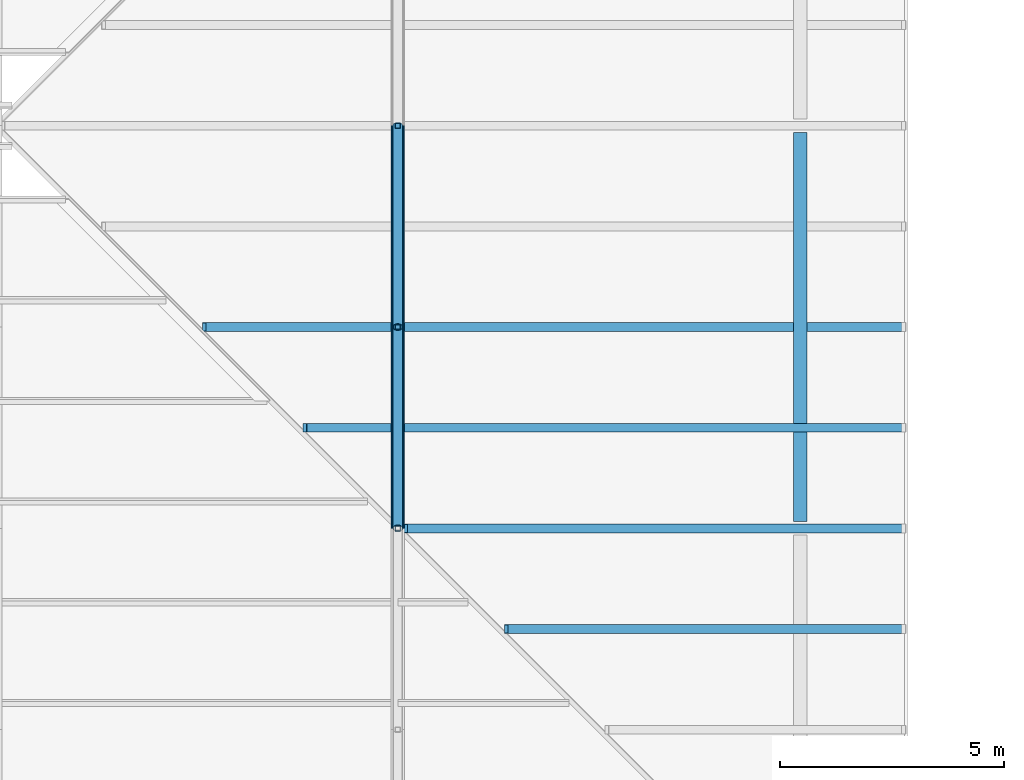
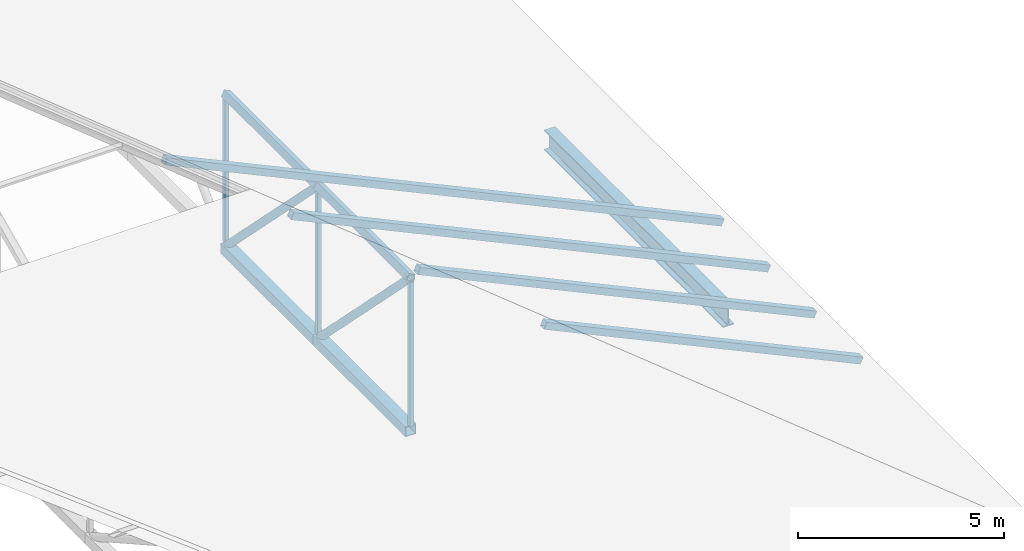
# One storey, part 68 of 154: 13 members, 1 beam.
"""IFC4 building model written with IfcOpenShell, lengths in metres."""

import ifcopenshell
import ifcopenshell.guid

model = None  # the IFC model being written
_history = None  # IfcOwnerHistory: only IFC2X3 demands one
_inside = {}  # id of a spatial element -> (the spatial element, [elements in it])
_under = {}  # id of a project, library or spatial element -> (it, [spatial elements below it])
_declared = {}  # id of a project -> (the project, [libraries it declares])
_typed = {}  # id of a type object -> (the type object, [elements of that type])
_made_of = {}  # id of a material, layer set ... -> (it, [elements and type objects made of it])


def new_model(schema):
    """Start an empty IFC model of exactly this schema.

    Asked for "IFC4X3", IfcOpenShell would pick the latest addendum, in which some entities
    have other attributes; the version numbers below select the first issue.
    IFC2X3 requires an IfcOwnerHistory on every rooted entity: one is made here for all.
    """
    global model, _history
    if schema == "IFC4X3":
        model = ifcopenshell.file(schema_version=(4, 3, 0, 0))
    else:
        model = ifcopenshell.file(schema=schema)
    _inside.clear()
    _under.clear()
    _declared.clear()
    _typed.clear()
    _made_of.clear()
    _history = None
    if model.schema == "IFC2X3":
        org = make("IfcOrganization", Name="unknown")
        user = make(
            "IfcPersonAndOrganization",
            ThePerson=make("IfcPerson", FamilyName="unknown"),
            TheOrganization=org,
        )
        app = make(
            "IfcApplication",
            ApplicationDeveloper=org,
            Version="unknown",
            ApplicationFullName="unknown",
            ApplicationIdentifier="unknown",
        )
        _history = make(
            "IfcOwnerHistory",
            OwningUser=user,
            OwningApplication=app,
            ChangeAction="ADDED",
            CreationDate=0,
        )
    return model


def make(cls, **values):
    """One entity of the class cls with the attributes given. An attribute that is None is left unset."""
    return model.create_entity(
        cls, **{name: value for name, value in values.items() if value is not None}
    )


def rooted(cls, **values):
    """An entity with a GlobalId (a new one), such as an element, a storey or a relation."""
    return make(cls, GlobalId=ifcopenshell.guid.new(), OwnerHistory=_history, **values)


def si_unit(unit_type, name, prefix=None):
    """IfcSIUnit, for example si_unit("LENGTHUNIT", "METRE", prefix="MILLI")."""
    return make("IfcSIUnit", UnitType=unit_type, Prefix=prefix, Name=name)


def assignment(units):
    """IfcUnitAssignment: the units of a project."""
    return None if units is None else make("IfcUnitAssignment", Units=units)


def point(xyz):
    """IfcCartesianPoint."""
    return None if xyz is None else make("IfcCartesianPoint", Coordinates=xyz)


def direction(xyz):
    """IfcDirection."""
    return None if xyz is None else make("IfcDirection", DirectionRatios=xyz)


def frame(location, z_axis=None, x_axis=None):
    """IfcAxis2Placement3D, a coordinate frame: its origin and axes. An axis left out is left unset."""
    return make(
        "IfcAxis2Placement3D",
        Location=point(location),
        Axis=direction(z_axis),
        RefDirection=direction(x_axis),
    )


def frame_2d(location, x_axis=None):
    """IfcAxis2Placement2D, a coordinate frame in the plane: its origin and x axis."""
    return make(
        "IfcAxis2Placement2D", Location=point(location), RefDirection=direction(x_axis)
    )


def origin():
    """The frame at (0, 0, 0) with its axes left unset."""
    return frame((0.0, 0.0, 0.0))


def origin_2d():
    """The frame at (0, 0) in the plane with its x axis left unset."""
    return frame_2d((0.0, 0.0))


def place(relative_to, where):
    """IfcLocalPlacement: puts the frame where relative to a parent placement (None: the world)."""
    return make(
        "IfcLocalPlacement", PlacementRelTo=relative_to, RelativePlacement=where
    )


def context(
    kind, dimensions, precision=None, world=None, true_north=None, identifier=None
):
    """IfcGeometricRepresentationContext, for example the 3D "Model" context."""
    return make(
        "IfcGeometricRepresentationContext",
        ContextIdentifier=identifier,
        ContextType=kind,
        CoordinateSpaceDimension=dimensions,
        Precision=precision,
        WorldCoordinateSystem=world,
        TrueNorth=true_north,
    )


def subcontext(parent, identifier, kind, view, scale=None):
    """IfcGeometricRepresentationSubContext, for example "Body" below "Model"."""
    return make(
        "IfcGeometricRepresentationSubContext",
        ContextIdentifier=identifier,
        ContextType=kind,
        ParentContext=parent,
        TargetScale=scale,
        TargetView=view,
    )


def project(units=None, contexts=None):
    """IfcProject with its units and contexts."""
    return rooted(
        "IfcProject",
        Name="project",
        RepresentationContexts=contexts,
        UnitsInContext=assignment(units),
    )


def spatial(cls, under=None, at=None, **own):
    """A site, building, storey or space (cls), placed at a placement, below another one or the project."""
    s = rooted(cls, ObjectPlacement=at, **own)
    if under is not None:
        _under.setdefault(under.id(), (under, []))[1].append(s)
    return s


def profile(cls, at=None, kind="AREA", **sizes):
    """A parametric profile (cls). Its sizes go by their IFC names, for example OverallWidth=200.0."""
    return make(cls, ProfileType=kind, Position=at, **sizes)


def hollow_rectangle(**sizes):
    """IfcRectangleHollowProfileDef."""
    return profile("IfcRectangleHollowProfileDef", **sizes)


def hollow_circle(**sizes):
    """IfcCircleHollowProfileDef."""
    return profile("IfcCircleHollowProfileDef", **sizes)


def i_section(**sizes):
    """IfcIShapeProfileDef."""
    return profile("IfcIShapeProfileDef", **sizes)


def extrude(swept, where, along, depth):
    """IfcExtrudedAreaSolid: the profile swept, set in the frame where, extruded along a direction by depth."""
    return make(
        "IfcExtrudedAreaSolid",
        SweptArea=swept,
        Position=where,
        ExtrudedDirection=direction(along),
        Depth=depth,
    )


def shape(context_of_items, identifier, shape_type, items):
    """IfcShapeRepresentation: the items that make up one representation, for example the "Body"."""
    return make(
        "IfcShapeRepresentation",
        ContextOfItems=context_of_items,
        RepresentationIdentifier=identifier,
        RepresentationType=shape_type,
        Items=items,
    )


def material(Name=None, Category=None):
    """IfcMaterial."""
    return make("IfcMaterial", Name=Name, Category=Category)


def material_profile(
    of_material, cross_section, Name=None, Category=None, Priority=None
):
    """IfcMaterialProfile: a cross section and its material."""
    return make(
        "IfcMaterialProfile",
        Name=Name,
        Material=of_material,
        Profile=cross_section,
        Priority=Priority,
        Category=Category,
    )


def profile_set(profiles, Name=None, composite=None):
    """IfcMaterialProfileSet."""
    return make(
        "IfcMaterialProfileSet",
        Name=Name,
        MaterialProfiles=profiles,
        CompositeProfile=composite,
    )


def made_of(thing, what):
    """Note that an element or type object is made of a material, layer set ...; save() writes the relation."""
    if what is not None:
        _made_of.setdefault(what.id(), (what, []))[1].append(thing)
    return thing


def type_object(cls, material=None, **own):
    """A type object (cls), such as IfcWallType, which elements share."""
    return made_of(rooted(cls, **own), material)


def element(
    cls,
    number,
    at=None,
    inside=None,
    cuts=None,
    type_object=None,
    material=None,
    context=None,
    identifier="Body",
    shape_type=None,
    held_by="IfcProductDefinitionShape",
    body=None,
    shapes=None,
    **own,
):
    """One element of the class cls, such as IfcWall. Its Tag is "e" and its number.

    at: its placement. inside: the storey or other place that contains it. cuts: it is an
    opening in that element (IfcRelVoidsElement). A single representation is given by context,
    identifier, shape_type and body (its items); several are given by shapes. held_by: the class
    of the entity that holds the representations. save() writes the other relations.
    """
    e = rooted(cls, Tag="e%d" % number, ObjectPlacement=at, **own)
    if body is not None:
        shapes = [shape(context, identifier, shape_type, body)]
    if shapes is not None:
        e.Representation = make(held_by, Representations=shapes)
    if inside is not None:
        _inside.setdefault(inside.id(), (inside, []))[1].append(e)
    if cuts is not None:
        rooted(
            "IfcRelVoidsElement", RelatingBuildingElement=cuts, RelatedOpeningElement=e
        )
    if type_object is not None:
        _typed.setdefault(type_object.id(), (type_object, []))[1].append(e)
    return made_of(e, material)


def aggregate(whole, parts):
    """IfcRelAggregates: a whole, such as a stair, and the parts it consists of."""
    return rooted("IfcRelAggregates", RelatingObject=whole, RelatedObjects=parts)


def save(model, path):
    """Write the relations noted so far, then the file.

    IfcRelAggregates (storeys below a building ...), IfcRelContainedInSpatialStructure (elements
    in a storey), IfcRelDefinesByType, IfcRelAssociatesMaterial and IfcRelDeclares: one each for
    every whole, place, type object, material and project.
    """
    for whole, parts in _under.values():
        aggregate(whole, parts)
    for where, things in _inside.values():
        rooted(
            "IfcRelContainedInSpatialStructure",
            RelatedElements=things,
            RelatingStructure=where,
        )
    for kind, things in _typed.values():
        rooted("IfcRelDefinesByType", RelatedObjects=things, RelatingType=kind)
    for what, things in _made_of.values():
        rooted("IfcRelAssociatesMaterial", RelatedObjects=things, RelatingMaterial=what)
    for by, libraries in _declared.values():
        rooted("IfcRelDeclares", RelatingContext=by, RelatedDefinitions=libraries)
    model.write(path)


model = new_model("IFC4")

# Units and contexts
model_context = context("Model", 3, precision=1e-05, world=origin(), true_north=direction((0.0, 1.0)))
body_context = subcontext(model_context, "Body", "Model", "MODEL_VIEW")
ifc_project = project(units=[si_unit("LENGTHUNIT", "METRE"), si_unit("AREAUNIT", "SQUARE_METRE"), si_unit("VOLUMEUNIT", "CUBIC_METRE"), si_unit("PLANEANGLEUNIT", "RADIAN"), si_unit("MASSUNIT", "GRAM", prefix="KILO")], contexts=[model_context])

# Site, building, storey
site_placement = place(None, origin())
site = spatial("IfcSite", under=ifc_project, at=site_placement, CompositionType="ELEMENT")
building_placement = place(site_placement, origin())
building = spatial("IfcBuilding", under=site, at=building_placement, Name="Golden Quay Civic Hall", CompositionType="ELEMENT")
storey_placement = place(building_placement, frame((0.0, 0.0, 14.39990234375)))
storey = spatial("IfcBuildingStorey", under=building, at=storey_placement, Name="L03", CompositionType="ELEMENT", Elevation=14.39990234375)

# Beam
ifc_material_1 = material(Name="Steel S355", Category="steel")
ifc_material_profile_1 = material_profile(ifc_material_1, i_section(OverallWidth=0.300048828125, OverallDepth=0.60009765625, WebThickness=0.015380859375, FlangeThickness=0.030029296875, FilletRadius=0.027099609375, at=origin_2d()), Name="HEB 600")
ifc_profile_set_1 = profile_set([ifc_material_profile_1], Name="Steel S355")
beam_type = type_object("IfcBeamType", Name="Steel eaves girder HEB 600", PredefinedType="BEAM", material=ifc_profile_set_1)
beam_placement = place(storey_placement, frame((171.0, 72.14990234375, 0.050048828125), z_axis=(0.0, 1.0, 0.0), x_axis=(-1.0, 0.0, 0.0)))
element("IfcBeam", 1, at=beam_placement, inside=storey, type_object=beam_type, Name="Eaves girder 171-2 L03", PredefinedType="BEAM", context=body_context, shape_type="SweptSolid", body=[
    extrude(i_section(OverallWidth=0.300048828125, OverallDepth=0.60009765625, WebThickness=0.015380859375, FlangeThickness=0.030029296875, FilletRadius=0.027099609375, at=origin_2d()), origin(), (0.0, 0.0, 1.0), 8.7001953125),
])

# Members
ifc_material_2 = material(Name="Steel S355", Category="steel")
ifc_material_profile_2 = material_profile(ifc_material_2, hollow_rectangle(XDim=0.199951171875, YDim=0.199951171875, WallThickness=0.010009765625, at=origin_2d()), Name="SHS 200x200x10")
ifc_profile_set_2 = profile_set([ifc_material_profile_2], Name="Steel S355")
member_type_1 = type_object("IfcMemberType", Name="Steel jack rafter SHS 200x200x10", PredefinedType="RAFTER", material=ifc_profile_set_2)
member_1_placement = place(storey_placement, frame((173.300048828125, 69.75, -0.56787109375), z_axis=(-0.906309849576, 0.0, 0.422613838583), x_axis=(0.0, -1.0, 0.0)))
element("IfcMember", 2, at=member_1_placement, inside=storey, type_object=member_type_1, Name="Jack rafter east 3 L03", PredefinedType="RAFTER", context=body_context, shape_type="SweptSolid", body=[
    extrude(hollow_rectangle(XDim=0.199951171875, YDim=0.199951171875, WallThickness=0.010009765625, at=origin_2d()), origin(), (0.0, 0.0, 1.0), 9.79248046875),
])
member_2_placement = place(storey_placement, frame((173.300048828125, 72.0, -0.56787109375), z_axis=(-0.9063131757, 0.0, 0.422606705523), x_axis=(0.0, -1.0, 0.0)))
element("IfcMember", 3, at=member_2_placement, inside=storey, type_object=member_type_1, Name="Jack rafter east 4 L03", PredefinedType="RAFTER", context=body_context, shape_type="SweptSolid", body=[
    extrude(hollow_rectangle(XDim=0.199951171875, YDim=0.199951171875, WallThickness=0.010009765625, at=origin_2d()), origin(), (0.0, 0.0, 1.0), 12.27490234375),
])
member_3_placement = place(storey_placement, frame((173.300048828125, 74.25, -0.56787109375), z_axis=(-0.906309046368, 0.0, 0.422615561086), x_axis=(0.0, -1.0, 0.0)))
element("IfcMember", 4, at=member_3_placement, inside=storey, type_object=member_type_1, Name="Jack rafter east 5 L03", PredefinedType="RAFTER", context=body_context, shape_type="SweptSolid", body=[
    extrude(hollow_rectangle(XDim=0.199951171875, YDim=0.199951171875, WallThickness=0.010009765625, at=origin_2d()), origin(), (0.0, 0.0, 1.0), 14.757568359375),
])
member_4_placement = place(storey_placement, frame((173.300048828125, 76.5, -0.56787109375), z_axis=(-0.906311530238, 0.0, 0.422610234326), x_axis=(0.0, -1.0, 0.0)))
element("IfcMember", 5, at=member_4_placement, inside=storey, type_object=member_type_1, Name="Jack rafter east 6 L03", PredefinedType="RAFTER", context=body_context, shape_type="SweptSolid", body=[
    extrude(hollow_rectangle(XDim=0.199951171875, YDim=0.199951171875, WallThickness=0.010009765625, at=origin_2d()), origin(), (0.0, 0.0, 1.0), 17.240234375),
])
ifc_material_3 = material(Name="Steel S355", Category="steel")
ifc_material_profile_3 = material_profile(ifc_material_3, hollow_rectangle(XDim=0.300048828125, YDim=0.300048828125, WallThickness=0.01611328125, at=origin_2d()), Name="SHS 300x300x16")
ifc_profile_set_3 = profile_set([ifc_material_profile_3], Name="Steel S355")
member_type_2 = type_object("IfcMemberType", Name="Steel truss bottom chord SHS 300x300x16", PredefinedType="USERDEFINED", material=ifc_profile_set_3)
for number, where, z_axis, x_axis, name in (
    (6, (162.0, 72.0, -0.099853515625), (0.0, 1.0, 0.0), (-1.0, 0.0, 0.0), "Truss 162 bottom chord 3 L03"),
    (7, (162.0, 76.5, -0.099853515625), (0.0, 1.0, 0.0), (-1.0, 0.0, 0.0), "Truss 162 bottom chord 4 L03"),
):
    element("IfcMember", number, at=place(storey_placement, frame(where, z_axis=z_axis, x_axis=x_axis)), inside=storey, type_object=member_type_2, Name=name, ObjectType="TRUSS BOTTOM CHORD", PredefinedType="USERDEFINED", context=body_context, shape_type="SweptSolid", body=[
        extrude(hollow_rectangle(XDim=0.300048828125, YDim=0.300048828125, WallThickness=0.01611328125, at=origin_2d()), origin(), (0.0, 0.0, 1.0), 4.5),
    ])
ifc_material_4 = material(Name="Steel S355", Category="steel")
ifc_material_profile_4 = material_profile(ifc_material_4, hollow_circle(Radius=0.109619140625, WallThickness=0.010009765625, at=origin_2d()), Name="CHS 219.1x10")
ifc_profile_set_4 = profile_set([ifc_material_profile_4], Name="Steel S355")
member_type_3 = type_object("IfcMemberType", Name="Steel truss diagonal CHS 219.1x10", PredefinedType="BRACE", material=ifc_profile_set_4)
for number, where, z_axis, x_axis, name in (
    (8, (162.0, 72.0, 4.4365234375), (0.0, 0.704254536807, -0.709947566646), (-1.0, 0.0, 0.0), "Truss 162 diagonal 3 L03"),
    (9, (162.0, 76.5, 4.4365234375), (0.0, 0.704254536807, -0.709947566646), (-1.0, 0.0, 0.0), "Truss 162 diagonal 4 L03"),
):
    element("IfcMember", number, at=place(storey_placement, frame(where, z_axis=z_axis, x_axis=x_axis)), inside=storey, type_object=member_type_3, Name=name, PredefinedType="BRACE", context=body_context, shape_type="SweptSolid", body=[
        extrude(hollow_circle(Radius=0.109619140625, WallThickness=0.010009765625, at=origin_2d()), origin(), (0.0, 0.0, 1.0), 6.3896484375),
    ])
ifc_material_5 = material(Name="Steel S355", Category="steel")
ifc_material_profile_5 = material_profile(ifc_material_5, hollow_rectangle(XDim=0.1201171875, YDim=0.1201171875, WallThickness=0.008056640625, at=origin_2d()), Name="SHS 120x120x8")
ifc_profile_set_5 = profile_set([ifc_material_profile_5], Name="Steel S355")
member_type_4 = type_object("IfcMemberType", Name="Steel truss post SHS 120x120x8", PredefinedType="USERDEFINED", material=ifc_profile_set_5)
for number, where, z_axis, x_axis, name in (
    (10, (162.0, 72.0, 0.050048828125), (0.0, 0.0, 1.0), (1.0, 0.0, 0.0), "Truss 162 post 3 L03"),
    (11, (162.0, 76.5, 0.050048828125), (0.0, 0.0, 1.0), (1.0, 0.0, 0.0), "Truss 162 post 4 L03"),
    (12, (162.0, 81.0, 0.050048828125), (0.0, 0.0, 1.0), (1.0, 0.0, 0.0), "Truss 162 post 5 L03"),
):
    element("IfcMember", number, at=place(storey_placement, frame(where, z_axis=z_axis, x_axis=x_axis)), inside=storey, type_object=member_type_4, Name=name, ObjectType="TRUSS POST", PredefinedType="USERDEFINED", context=body_context, shape_type="SweptSolid", body=[
        extrude(hollow_rectangle(XDim=0.1201171875, YDim=0.1201171875, WallThickness=0.008056640625, at=origin_2d()), origin(), (0.0, 0.0, 1.0), 4.276123046875),
    ])
ifc_material_6 = material(Name="Steel S355", Category="steel")
ifc_material_profile_6 = material_profile(ifc_material_6, hollow_rectangle(XDim=0.199951171875, YDim=0.199951171875, WallThickness=0.010009765625, at=origin_2d()), Name="SHS 200x200x10")
ifc_profile_set_6 = profile_set([ifc_material_profile_6], Name="Steel S355")
member_type_5 = type_object("IfcMemberType", Name="Steel truss top chord SHS 200x200x10", PredefinedType="USERDEFINED", material=ifc_profile_set_6)
for number, where, z_axis, x_axis, name in (
    (13, (162.0, 72.0, 4.4365234375), (0.0, 1.0, 0.0), (-0.906307787037, 0.0, 0.422618261741), "Truss 162 top chord 4 L03"),
    (14, (162.0, 76.5, 4.4365234375), (0.0, 1.0, 0.0), (-0.906307787037, 0.0, 0.422618261741), "Truss 162 top chord 5 L03"),
):
    element("IfcMember", number, at=place(storey_placement, frame(where, z_axis=z_axis, x_axis=x_axis)), inside=storey, type_object=member_type_5, Name=name, ObjectType="TRUSS TOP CHORD", PredefinedType="USERDEFINED", context=body_context, shape_type="SweptSolid", body=[
        extrude(hollow_rectangle(XDim=0.199951171875, YDim=0.199951171875, WallThickness=0.010009765625, at=origin_2d()), origin(), (0.0, 0.0, 1.0), 4.5),
    ])

save(model, "model.ifc")
